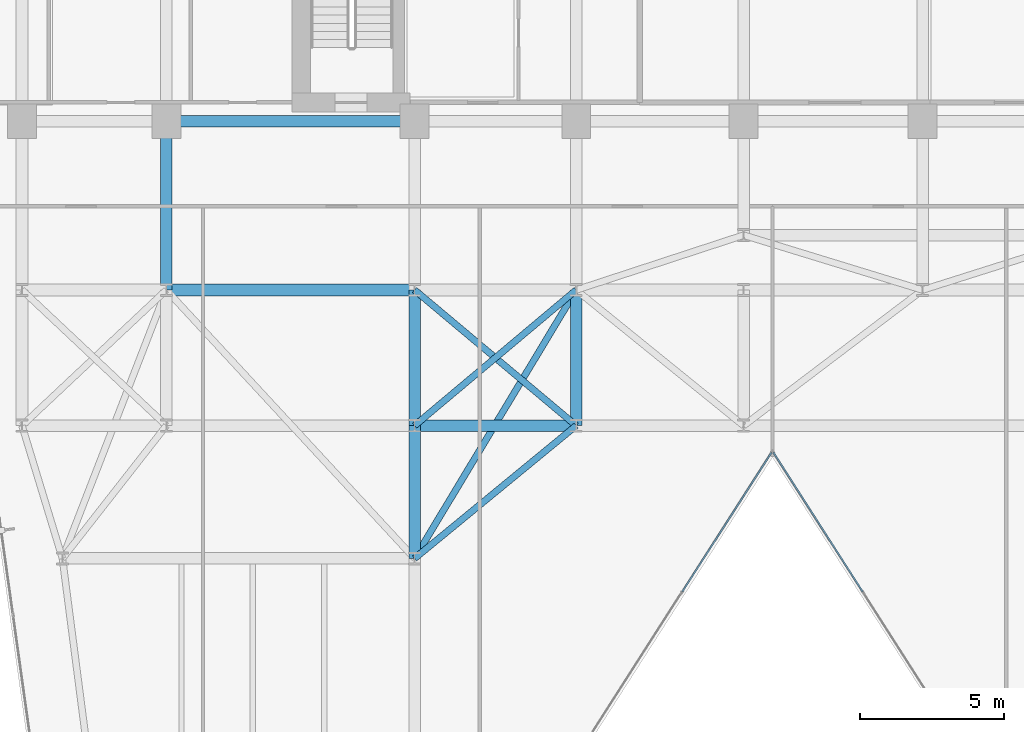
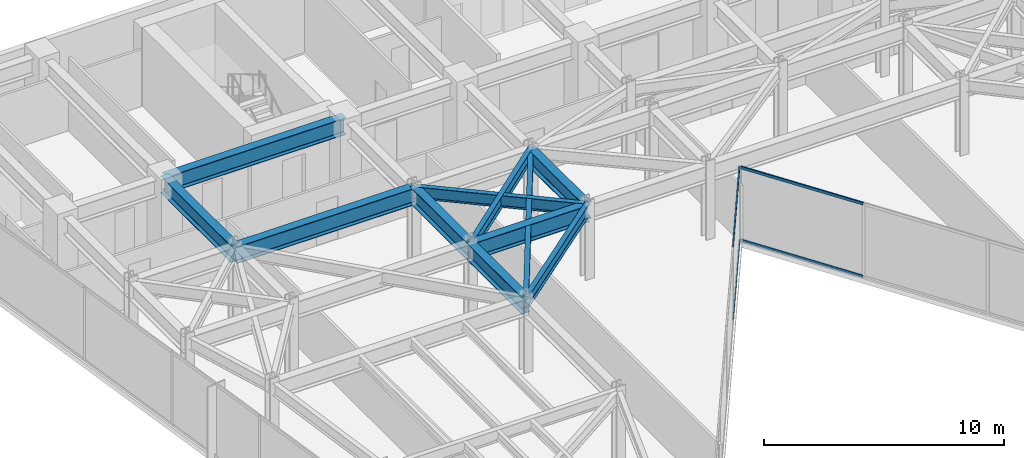
# One storey, part 12 of 26: 11 beams, 4 members, 2 elements without a shape of their own.
"""IFC4 building model written with IfcOpenShell, lengths in metres."""

from ifc_helpers import new_model, si_unit, direction, frame, origin, origin_2d, place, context, subcontext, project, spatial, hollow_rectangle, i_section, extrude, material, layer, layer_set, material_profile, profile_set, type_object, element, aggregate, save


model = new_model("IFC4")

# Units and contexts
model_context = context("Model", 3, precision=1e-05, world=origin(), true_north=direction((0.0, 1.0)))
body_context = subcontext(model_context, "Body", "Model", "MODEL_VIEW")
ifc_project = project(units=[si_unit("LENGTHUNIT", "METRE"), si_unit("AREAUNIT", "SQUARE_METRE"), si_unit("VOLUMEUNIT", "CUBIC_METRE"), si_unit("PLANEANGLEUNIT", "RADIAN"), si_unit("MASSUNIT", "GRAM", prefix="KILO")], contexts=[model_context])

# Site, building, storey
site_placement = place(None, origin())
site = spatial("IfcSite", under=ifc_project, at=site_placement, CompositionType="ELEMENT")
building_placement = place(site_placement, origin())
building = spatial("IfcBuilding", under=site, at=building_placement, Name="Kravanh Interchange Tower", CompositionType="ELEMENT")
storey_placement = place(building_placement, frame((0.0, 0.0, 132.0)))
storey = spatial("IfcBuildingStorey", under=building, at=storey_placement, Name="L31", CompositionType="ELEMENT", Elevation=132.0)

# Curtain wall, members
ifc_material_1 = material(Name="Anodised Bronze Aluminium", Category="aluminium")
ifc_layer = layer(ifc_material_1, 0.179931640625)
ifc_layer_set = layer_set([ifc_layer], Name="Unitised Curtain Wall System CW-Z2 Mid Office")
curtain_wall_type = type_object("IfcCurtainWallType", Name="Unitised Curtain Wall System CW-Z2 Mid Office", PredefinedType="NOTDEFINED", material=ifc_layer_set)
curtain_wall_1_placement = place(storey_placement, origin())
curtain_wall_1 = element("IfcCurtainWall", 1, at=curtain_wall_1_placement, inside=storey, type_object=curtain_wall_type, Name="L31 Unitised Curtain Wall CW-L31-04", PredefinedType="NOTDEFINED")
ifc_material_2 = material(Name="Anodised Bronze Aluminium", Category="aluminium")
ifc_material_profile_1 = material_profile(ifc_material_2, hollow_rectangle(XDim=0.06005859375, YDim=0.139892578125, WallThickness=0.00390625, at=origin_2d()), Name="ALU60X140X4")
ifc_profile_set_1 = profile_set([ifc_material_profile_1], Name="Anodised Bronze Aluminium")
member_type = type_object("IfcMemberType", Name="Curtain Wall Transom ALU60X140X4 Bronze", PredefinedType="USERDEFINED", material=ifc_profile_set_1)
member_1_placement = place(storey_placement, frame((42.72509765625, 21.047119140625, 0.030029296875), z_axis=(-0.53966766312, 0.841878146398, 0.0), x_axis=(-0.841878146398, -0.53966766312, 0.0)))
member_1 = element("IfcMember", 2, at=member_1_placement, type_object=member_type, Name="CW-Z2 transom 4.1", ObjectType="TRANSOM", PredefinedType="USERDEFINED", context=body_context, shape_type="SweptSolid", body=[
    extrude(hollow_rectangle(XDim=0.06005859375, YDim=0.139892578125, WallThickness=0.00390625, at=origin_2d()), origin(), (0.0, 0.0, 1.0), 5.73095703125),
])
member_2_placement = place(storey_placement, frame((42.72509765625, 21.047119140625, 3.719970703125), z_axis=(-0.53966766312, 0.841878146398, 0.0), x_axis=(-0.841878146398, -0.53966766312, 0.0)))
member_2 = element("IfcMember", 3, at=member_2_placement, type_object=member_type, Name="CW-Z2 transom 4.2", ObjectType="TRANSOM", PredefinedType="USERDEFINED", context=body_context, shape_type="SweptSolid", body=[
    extrude(hollow_rectangle(XDim=0.06005859375, YDim=0.139892578125, WallThickness=0.00390625, at=origin_2d()), origin(), (0.0, 0.0, 1.0), 5.73095703125),
])
aggregate(curtain_wall_1, [member_1, member_2])

curtain_wall_2_placement = place(storey_placement, origin())
curtain_wall_2 = element("IfcCurtainWall", 4, at=curtain_wall_2_placement, inside=storey, type_object=curtain_wall_type, Name="L31 Unitised Curtain Wall CW-L31-05", PredefinedType="NOTDEFINED")
member_3_placement = place(storey_placement, frame((39.567626953125, 25.871826171875, 0.030029296875), z_axis=(-0.53966766312, -0.841878146398, 0.0), x_axis=(0.841878146398, -0.53966766312, 0.0)))
member_3 = element("IfcMember", 5, at=member_3_placement, type_object=member_type, Name="CW-Z2 transom 1.1", ObjectType="TRANSOM", PredefinedType="USERDEFINED", context=body_context, shape_type="SweptSolid", body=[
    extrude(hollow_rectangle(XDim=0.06005859375, YDim=0.139892578125, WallThickness=0.00390625, at=origin_2d()), origin(), (0.0, 0.0, 1.0), 5.73095703125),
])
member_4_placement = place(storey_placement, frame((39.567626953125, 25.871826171875, 3.719970703125), z_axis=(-0.53966766312, -0.841878146398, 0.0), x_axis=(0.841878146398, -0.53966766312, 0.0)))
member_4 = element("IfcMember", 6, at=member_4_placement, type_object=member_type, Name="CW-Z2 transom 1.2", ObjectType="TRANSOM", PredefinedType="USERDEFINED", context=body_context, shape_type="SweptSolid", body=[
    extrude(hollow_rectangle(XDim=0.06005859375, YDim=0.139892578125, WallThickness=0.00390625, at=origin_2d()), origin(), (0.0, 0.0, 1.0), 5.73095703125),
])
aggregate(curtain_wall_2, [member_3, member_4])

# Beams
ifc_material_3 = material(Name="Structural Steel S355", Category="steel")
ifc_material_profile_2 = material_profile(ifc_material_3, i_section(OverallWidth=0.39990234375, OverallDepth=0.85595703125, WebThickness=0.018310546875, FlangeThickness=0.029296875, FilletRadius=0.02490234375, at=origin_2d()), Name="W33X201")
ifc_profile_set_2 = profile_set([ifc_material_profile_2], Name="Structural Steel S355")
beam_type_1 = type_object("IfcBeamType", Name="Floor Beam W33X201 Structural Steel S355", PredefinedType="BEAM", material=ifc_profile_set_2)
beam_1_placement = place(storey_placement, frame((27.199951171875, 37.35009765625, 3.322021484375), z_axis=(-1.0, 0.0, 0.0), x_axis=(0.0, -1.0, 0.0)))
element("IfcBeam", 7, at=beam_1_placement, inside=storey, type_object=beam_type_1, Name="L31 Primary Floor Girder 25", PredefinedType="BEAM", context=body_context, shape_type="SweptSolid", body=[
    extrude(i_section(OverallWidth=0.39990234375, OverallDepth=0.85595703125, WebThickness=0.018310546875, FlangeThickness=0.029296875, FilletRadius=0.02490234375, at=origin_2d()), origin(), (0.0, 0.0, 1.0), 8.599853515625),
])
beam_2_placement = place(storey_placement, frame((18.60009765625, 37.35009765625, 3.322021484375), z_axis=(0.0, -1.0, 0.0), x_axis=(1.0, 0.0, 0.0)))
element("IfcBeam", 8, at=beam_2_placement, inside=storey, type_object=beam_type_1, Name="L31 Primary Floor Girder 29", PredefinedType="BEAM", context=body_context, shape_type="SweptSolid", body=[
    extrude(i_section(OverallWidth=0.39990234375, OverallDepth=0.85595703125, WebThickness=0.018310546875, FlangeThickness=0.029296875, FilletRadius=0.02490234375, at=origin_2d()), origin(), (0.0, 0.0, 1.0), 5.85009765625),
])
beam_3_placement = place(storey_placement, frame((27.199951171875, 26.800048828125, 3.322021484375), z_axis=(0.0, -1.0, 0.0), x_axis=(1.0, 0.0, 0.0)))
element("IfcBeam", 9, at=beam_3_placement, inside=storey, type_object=beam_type_1, Name="L31 Primary Floor Girder 45", PredefinedType="BEAM", context=body_context, shape_type="SweptSolid", body=[
    extrude(i_section(OverallWidth=0.39990234375, OverallDepth=0.85595703125, WebThickness=0.018310546875, FlangeThickness=0.029296875, FilletRadius=0.02490234375, at=origin_2d()), origin(), (0.0, 0.0, 1.0), 4.60009765625),
])
beam_4_placement = place(storey_placement, frame((27.199951171875, 26.800048828125, 3.322021484375), z_axis=(0.0, 1.0, 0.0), x_axis=(-1.0, 0.0, 0.0)))
element("IfcBeam", 10, at=beam_4_placement, inside=storey, type_object=beam_type_1, Name="L31 Primary Floor Girder 46", PredefinedType="BEAM", context=body_context, shape_type="SweptSolid", body=[
    extrude(i_section(OverallWidth=0.39990234375, OverallDepth=0.85595703125, WebThickness=0.018310546875, FlangeThickness=0.029296875, FilletRadius=0.02490234375, at=origin_2d()), origin(), (0.0, 0.0, 1.0), 4.699951171875),
])
beam_5_placement = place(storey_placement, frame((27.199951171875, 26.800048828125, 3.322021484375), z_axis=(1.0, 0.0, 0.0), x_axis=(0.0, 1.0, 0.0)))
element("IfcBeam", 11, at=beam_5_placement, inside=storey, type_object=beam_type_1, Name="L31 Primary Floor Girder 47", PredefinedType="BEAM", context=body_context, shape_type="SweptSolid", body=[
    extrude(i_section(OverallWidth=0.39990234375, OverallDepth=0.85595703125, WebThickness=0.018310546875, FlangeThickness=0.029296875, FilletRadius=0.02490234375, at=origin_2d()), origin(), (0.0, 0.0, 1.0), 5.60009765625),
])
beam_6_placement = place(storey_placement, frame((32.800048828125, 26.800048828125, 3.322021484375), z_axis=(0.0, 1.0, 0.0), x_axis=(-1.0, 0.0, 0.0)))
element("IfcBeam", 12, at=beam_6_placement, inside=storey, type_object=beam_type_1, Name="L31 Primary Floor Girder 49", PredefinedType="BEAM", context=body_context, shape_type="SweptSolid", body=[
    extrude(i_section(OverallWidth=0.39990234375, OverallDepth=0.85595703125, WebThickness=0.018310546875, FlangeThickness=0.029296875, FilletRadius=0.02490234375, at=origin_2d()), origin(), (0.0, 0.0, 1.0), 4.699951171875),
])
beam_7_placement = place(storey_placement, frame((18.60009765625, 31.5, 3.322021484375), z_axis=(1.0, 0.0, 0.0), x_axis=(0.0, 1.0, 0.0)))
element("IfcBeam", 13, at=beam_7_placement, inside=storey, type_object=beam_type_1, Name="L31 Primary Floor Girder 71", PredefinedType="BEAM", context=body_context, shape_type="SweptSolid", body=[
    extrude(i_section(OverallWidth=0.39990234375, OverallDepth=0.85595703125, WebThickness=0.018310546875, FlangeThickness=0.029296875, FilletRadius=0.02490234375, at=origin_2d()), origin(), (0.0, 0.0, 1.0), 8.599853515625),
])
ifc_material_4 = material(Name="Structural Steel S355", Category="steel")
ifc_material_profile_3 = material_profile(ifc_material_4, i_section(OverallWidth=0.22802734375, OverallDepth=0.60791015625, WebThickness=0.01123046875, FlangeThickness=0.017333984375, FilletRadius=0.02197265625, at=origin_2d()), Name="W24X76")
ifc_profile_set_3 = profile_set([ifc_material_profile_3], Name="Structural Steel S355")
beam_type_2 = type_object("IfcBeamType", Name="Floor Spandrel W24X76 Structural Steel S355", PredefinedType="SPANDREL", material=ifc_profile_set_3)
beam_8_placement = place(storey_placement, frame((27.199951171875, 26.800048828125, 3.446044921875), z_axis=(0.765983062929, 0.642860752657, 0.0), x_axis=(-0.642860752657, 0.765983062929, 0.0)))
element("IfcBeam", 14, at=beam_8_placement, inside=storey, type_object=beam_type_2, Name="L31 Perimeter Spandrel 48", PredefinedType="SPANDREL", context=body_context, shape_type="SweptSolid", body=[
    extrude(i_section(OverallWidth=0.22802734375, OverallDepth=0.60791015625, WebThickness=0.01123046875, FlangeThickness=0.017333984375, FilletRadius=0.02197265625, at=origin_2d()), origin(), (0.0, 0.0, 1.0), 7.31103515625),
])
beam_9_placement = place(storey_placement, frame((32.800048828125, 26.800048828125, 3.446044921875), z_axis=(-0.772725074305, -0.634740860147, 0.0), x_axis=(0.634740860147, -0.772725074305, 0.0)))
element("IfcBeam", 15, at=beam_9_placement, inside=storey, type_object=beam_type_2, Name="L31 Perimeter Spandrel 51", PredefinedType="SPANDREL", context=body_context, shape_type="SweptSolid", body=[
    extrude(i_section(OverallWidth=0.22802734375, OverallDepth=0.60791015625, WebThickness=0.01123046875, FlangeThickness=0.017333984375, FilletRadius=0.02197265625, at=origin_2d()), origin(), (0.0, 0.0, 1.0), 7.247314453125),
])
beam_10_placement = place(storey_placement, frame((32.800048828125, 26.800048828125, 3.446044921875), z_axis=(-0.765983062929, 0.642860752657, 0.0), x_axis=(-0.642860752657, -0.765983062929, 0.0)))
element("IfcBeam", 16, at=beam_10_placement, inside=storey, type_object=beam_type_2, Name="L31 Perimeter Spandrel 52", PredefinedType="SPANDREL", context=body_context, shape_type="SweptSolid", body=[
    extrude(i_section(OverallWidth=0.22802734375, OverallDepth=0.60791015625, WebThickness=0.01123046875, FlangeThickness=0.017333984375, FilletRadius=0.02197265625, at=origin_2d()), origin(), (0.0, 0.0, 1.0), 7.31103515625),
])
beam_11_placement = place(storey_placement, frame((32.800048828125, 31.5, 3.446044921875), z_axis=(-0.515854375109, -0.856676288735, 0.0), x_axis=(0.856676288735, -0.515854375109, 0.0)))
element("IfcBeam", 17, at=beam_11_placement, inside=storey, type_object=beam_type_2, Name="L31 Perimeter Spandrel 80", PredefinedType="SPANDREL", context=body_context, shape_type="SweptSolid", body=[
    extrude(i_section(OverallWidth=0.22802734375, OverallDepth=0.60791015625, WebThickness=0.01123046875, FlangeThickness=0.017333984375, FilletRadius=0.02197265625, at=origin_2d()), origin(), (0.0, 0.0, 1.0), 10.85595703125),
])

save(model, "model.ifc")
